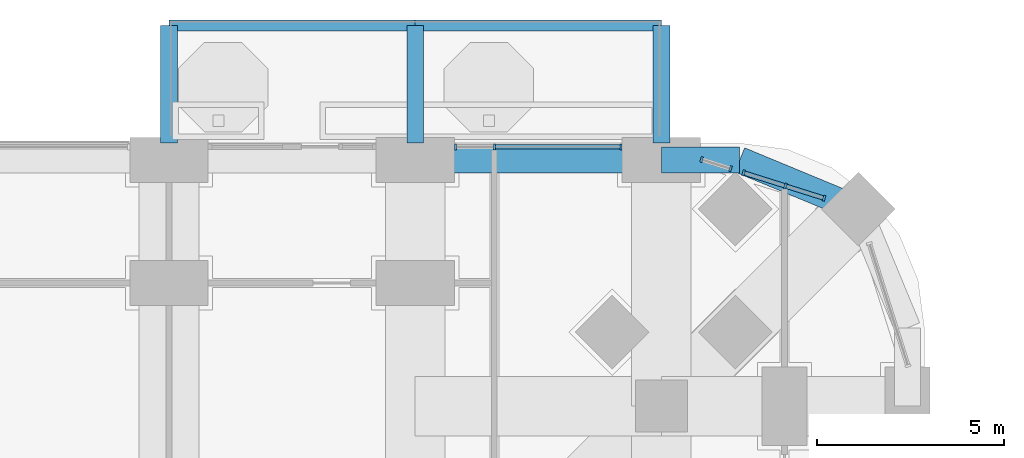
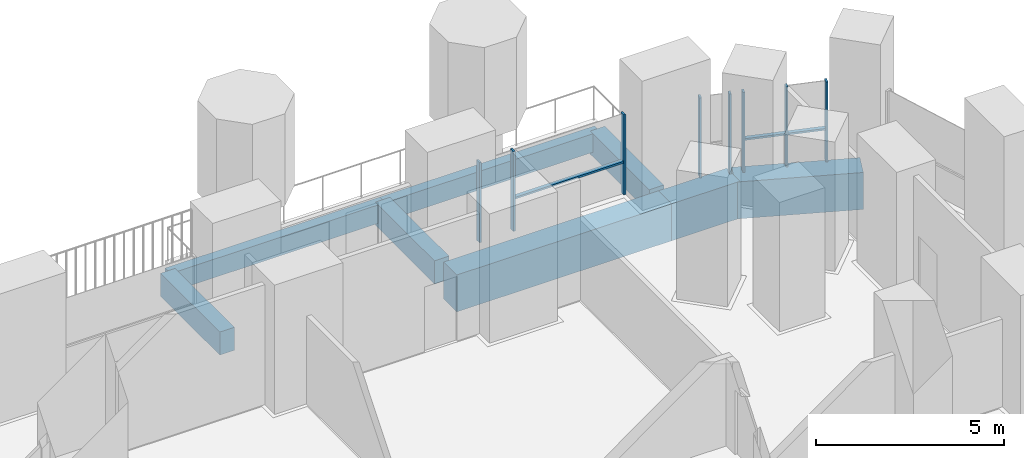
# One storey, part 10 of 27: 11 members, 8 beams, 3 elements without a shape of their own.
"""IFC4 building model written with IfcOpenShell, lengths in metres."""

from ifc_helpers import new_model, si_unit, direction, frame, origin, origin_2d, place, context, subcontext, project, spatial, rectangle, extrude, material, material_profile, profile_set, type_object, element, aggregate, save


model = new_model("IFC4")

# Units and contexts
model_context = context("Model", 3, precision=1e-05, world=origin(), true_north=direction((0.0, 1.0)))
body_context = subcontext(model_context, "Body", "Model", "MODEL_VIEW")
ifc_project = project(units=[si_unit("LENGTHUNIT", "METRE"), si_unit("AREAUNIT", "SQUARE_METRE"), si_unit("VOLUMEUNIT", "CUBIC_METRE"), si_unit("PLANEANGLEUNIT", "RADIAN"), si_unit("MASSUNIT", "GRAM", prefix="KILO")], contexts=[model_context])

# Site, building, storey
site_placement = place(None, origin())
site = spatial("IfcSite", under=ifc_project, at=site_placement, CompositionType="ELEMENT")
building_placement = place(site_placement, origin())
building = spatial("IfcBuilding", under=site, at=building_placement, Name="Cobogo Forest Laboratory Tower", CompositionType="ELEMENT")
storey_placement = place(building_placement, frame((0.0, 0.0, 63.300048828125)))
storey = spatial("IfcBuildingStorey", under=building, at=storey_placement, Name="L14", CompositionType="ELEMENT", Elevation=63.300048828125)

# Beams
ifc_material_1 = material(Name="Concrete HA-40 (C40/50)", Category="concrete")
ifc_material_profile_1 = material_profile(ifc_material_1, rectangle(XDim=0.449951171875, YDim=0.75, at=origin_2d()), Name="RC 450x750")
ifc_profile_set_1 = profile_set([ifc_material_profile_1], Name="Concrete HA-40 (C40/50)")
beam_type_1 = type_object("IfcBeamType", Name="Balcony cantilever beam 450x750", PredefinedType="BEAM", material=ifc_profile_set_1)
for number, where, z_axis, x_axis, name in (
    (1, (33.0, 46.64990234375, -0.625), (0.0, 1.0, 0.0), (-1.0, 0.0, 0.0), "CB1 BAL-N2-C1 L14"),
    (2, (39.60009765625, 46.64990234375, -0.625), (0.0, 1.0, 0.0), (-1.0, 0.0, 0.0), "CB1 BAL-N2-C2 L14"),
    (3, (46.199951171875, 46.64990234375, -0.625), (0.0, 1.0, 0.0), (-1.0, 0.0, 0.0), "CB1 BAL-N2-C3 L14"),
):
    element("IfcBeam", number, at=place(storey_placement, frame(where, z_axis=z_axis, x_axis=x_axis)), inside=storey, type_object=beam_type_1, Name=name, PredefinedType="BEAM", context=body_context, shape_type="SweptSolid", body=[
        extrude(rectangle(XDim=0.449951171875, YDim=0.75, at=origin_2d()), origin(), (0.0, 0.0, 1.0), 3.150146484375),
    ])
ifc_material_profile_2 = material_profile(ifc_material_1, rectangle(XDim=0.300048828125, YDim=0.60009765625, at=origin_2d()), Name="RC 300x600")
ifc_profile_set_2 = profile_set([ifc_material_profile_2], Name="Concrete HA-40 (C40/50)")
beam_type_2 = type_object("IfcBeamType", Name="Balcony edge beam 300x600", PredefinedType="BEAM", material=ifc_profile_set_2)
beam_1_placement = place(storey_placement, frame((33.0, 49.800048828125, -0.550048828125), z_axis=(1.0, 0.0, 0.0), x_axis=(0.0, 1.0, 0.0)))
element("IfcBeam", 4, at=beam_1_placement, inside=storey, type_object=beam_type_2, Name="BB1 BAL-N2-T1 L14", PredefinedType="BEAM", context=body_context, shape_type="SweptSolid", body=[
    extrude(rectangle(XDim=0.300048828125, YDim=0.60009765625, at=origin_2d()), origin(), (0.0, 0.0, 1.0), 6.60009765625),
])
beam_2_placement = place(storey_placement, frame((39.60009765625, 49.800048828125, -0.550048828125), z_axis=(1.0, 0.0, 0.0), x_axis=(0.0, 1.0, 0.0)))
element("IfcBeam", 5, at=beam_2_placement, inside=storey, type_object=beam_type_2, Name="BB1 BAL-N2-T2 L14", PredefinedType="BEAM", context=body_context, shape_type="SweptSolid", body=[
    extrude(rectangle(XDim=0.300048828125, YDim=0.60009765625, at=origin_2d()), origin(), (0.0, 0.0, 1.0), 6.599853515625),
])

# Curtain wall, members
ifc_material_2 = material(Name="Aluminium curtain wall", Category="aluminium")
curtain_wall_type = type_object("IfcCurtainWallType", Name="CW-1 unitised curtain wall, clear glazing, laboratory floors zones A and B", PredefinedType="USERDEFINED", material=ifc_material_2)
curtain_wall_1_placement = place(storey_placement, origin())
curtain_wall_1 = element("IfcCurtainWall", 6, at=curtain_wall_1_placement, inside=storey, type_object=curtain_wall_type, Name="Curtain wall 16 L14", ObjectType="UNITISED CURTAIN WALL", PredefinedType="USERDEFINED")
ifc_material_3 = material(Name="Aluminium mullion", Category="aluminium")
ifc_material_profile_3 = material_profile(ifc_material_3, rectangle(XDim=0.06005859375, YDim=0.159912109375, at=origin_2d()), Name="AL 60x160")
ifc_profile_set_3 = profile_set([ifc_material_profile_3], Name="Aluminium mullion")
member_type_1 = type_object("IfcMemberType", Name="MU-1 aluminium mullion 60x160", PredefinedType="MULLION", material=ifc_profile_set_3)
member_1_placement = place(storey_placement, frame((50.561279296875, 45.1728515625, 0.0), z_axis=(0.0, 0.0, 1.0), x_axis=(-0.953581409645, 0.301135343623, 0.0)))
member_1 = element("IfcMember", 7, at=member_1_placement, type_object=member_type_1, Name="CW-1 mullion 1", PredefinedType="MULLION", context=body_context, shape_type="SweptSolid", body=[
    extrude(rectangle(XDim=0.06005859375, YDim=0.159912109375, at=origin_2d()), origin(), (0.0, 0.0, 1.0), 2.599853515625),
])
member_2_placement = place(storey_placement, frame((49.524169921875, 45.500244140625, 0.0), z_axis=(0.0, 0.0, 1.0), x_axis=(-0.953581409645, 0.301135343623, 0.0)))
member_2 = element("IfcMember", 8, at=member_2_placement, type_object=member_type_1, Name="CW-1 mullion 2", PredefinedType="MULLION", context=body_context, shape_type="SweptSolid", body=[
    extrude(rectangle(XDim=0.06005859375, YDim=0.159912109375, at=origin_2d()), origin(), (0.0, 0.0, 1.0), 2.599853515625),
])
member_3_placement = place(storey_placement, frame((48.403076171875, 45.854248046875, 0.0), z_axis=(0.0, 0.0, 1.0), x_axis=(-0.953581409645, 0.301135343623, 0.0)))
member_3 = element("IfcMember", 9, at=member_3_placement, type_object=member_type_1, Name="CW-1 mullion 3", PredefinedType="MULLION", context=body_context, shape_type="SweptSolid", body=[
    extrude(rectangle(XDim=0.06005859375, YDim=0.159912109375, at=origin_2d()), origin(), (0.0, 0.0, 1.0), 2.599853515625),
])

curtain_wall_2_placement = place(storey_placement, origin())
curtain_wall_2 = element("IfcCurtainWall", 10, at=curtain_wall_2_placement, inside=storey, type_object=curtain_wall_type, Name="Curtain wall 17 L14", ObjectType="UNITISED CURTAIN WALL", PredefinedType="USERDEFINED")
member_4_placement = place(storey_placement, frame((48.05322265625, 45.96484375, 0.0), z_axis=(0.0, 0.0, 1.0), x_axis=(-0.953581504428, 0.301135043481, 0.0)))
member_4 = element("IfcMember", 11, at=member_4_placement, type_object=member_type_1, Name="CW-1 mullion 1", PredefinedType="MULLION", context=body_context, shape_type="SweptSolid", body=[
    extrude(rectangle(XDim=0.06005859375, YDim=0.159912109375, at=origin_2d()), origin(), (0.0, 0.0, 1.0), 2.599853515625),
])
member_5_placement = place(storey_placement, frame((47.278564453125, 46.20947265625, 0.0), z_axis=(0.0, 0.0, 1.0), x_axis=(-0.953581504428, 0.301135043481, 0.0)))
member_5 = element("IfcMember", 12, at=member_5_placement, type_object=member_type_1, Name="CW-1 mullion 2", PredefinedType="MULLION", context=body_context, shape_type="SweptSolid", body=[
    extrude(rectangle(XDim=0.06005859375, YDim=0.159912109375, at=origin_2d()), origin(), (0.0, 0.0, 1.0), 2.599853515625),
])
aggregate(curtain_wall_2, [member_4, member_5])

curtain_wall_3_placement = place(storey_placement, origin())
curtain_wall_3 = element("IfcCurtainWall", 13, at=curtain_wall_3_placement, inside=storey, type_object=curtain_wall_type, Name="Curtain wall 18 L14", ObjectType="UNITISED CURTAIN WALL", PredefinedType="USERDEFINED")
member_6_placement = place(storey_placement, frame((45.1201171875, 46.550048828125, 0.0), z_axis=(0.0, 0.0, 1.0), x_axis=(-1.0, 0.0, 0.0)))
member_6 = element("IfcMember", 14, at=member_6_placement, type_object=member_type_1, Name="CW-1 mullion 1", PredefinedType="MULLION", context=body_context, shape_type="SweptSolid", body=[
    extrude(rectangle(XDim=0.06005859375, YDim=0.159912109375, at=origin_2d()), origin(), (0.0, 0.0, 1.0), 2.599853515625),
])
member_7_placement = place(storey_placement, frame((41.72509765625, 46.550048828125, 0.0), z_axis=(0.0, 0.0, 1.0), x_axis=(-1.0, 0.0, 0.0)))
member_7 = element("IfcMember", 15, at=member_7_placement, type_object=member_type_1, Name="CW-1 mullion 2", PredefinedType="MULLION", context=body_context, shape_type="SweptSolid", body=[
    extrude(rectangle(XDim=0.06005859375, YDim=0.159912109375, at=origin_2d()), origin(), (0.0, 0.0, 1.0), 2.599853515625),
])
member_8_placement = place(storey_placement, frame((40.679931640625, 46.550048828125, 0.0), z_axis=(0.0, 0.0, 1.0), x_axis=(-1.0, 0.0, 0.0)))
member_8 = element("IfcMember", 16, at=member_8_placement, type_object=member_type_1, Name="CW-1 mullion 3", PredefinedType="MULLION", context=body_context, shape_type="SweptSolid", body=[
    extrude(rectangle(XDim=0.06005859375, YDim=0.159912109375, at=origin_2d()), origin(), (0.0, 0.0, 1.0), 2.599853515625),
])

# Beams
ifc_material_profile_4 = material_profile(ifc_material_1, rectangle(XDim=0.699951171875, YDim=1.199951171875, at=origin_2d()), Name="RC 700x1200")
ifc_profile_set_4 = profile_set([ifc_material_profile_4], Name="Concrete HA-40 (C40/50)")
beam_type_3 = type_object("IfcBeamType", Name="Perimeter edge beam 700x1200", PredefinedType="BEAM", material=ifc_profile_set_4)
beam_3_placement = place(storey_placement, frame((39.60009765625, 46.199951171875, -0.900146484375), z_axis=(1.0, 0.0, 0.0), x_axis=(0.0, 1.0, 0.0)))
element("IfcBeam", 17, at=beam_3_placement, inside=storey, type_object=beam_type_3, Name="EB1 E-N6 L14", PredefinedType="BEAM", context=body_context, shape_type="SweptSolid", body=[
    extrude(rectangle(XDim=0.699951171875, YDim=1.199951171875, at=origin_2d()), origin(), (0.0, 0.0, 1.0), 6.599853515625),
])
beam_4_placement = place(storey_placement, frame((46.199951171875, 46.199951171875, -0.900146484375), z_axis=(1.0, 0.0, 0.0), x_axis=(0.0, 1.0, 0.0)))
element("IfcBeam", 18, at=beam_4_placement, inside=storey, type_object=beam_type_3, Name="EB1 E-NEN1 L14", PredefinedType="BEAM", context=body_context, shape_type="SweptSolid", body=[
    extrude(rectangle(XDim=0.699951171875, YDim=1.199951171875, at=origin_2d()), origin(), (0.0, 0.0, 1.0), 2.10009765625),
])
beam_5_placement = place(storey_placement, frame((48.300048828125, 46.199951171875, -0.900146484375), z_axis=(0.923890694089, -0.382656484822, 0.0), x_axis=(0.382656484822, 0.923890694089, 0.0)))
element("IfcBeam", 19, at=beam_5_placement, inside=storey, type_object=beam_type_3, Name="EB1 E-NEN2 L14", PredefinedType="BEAM", context=body_context, shape_type="SweptSolid", body=[
    extrude(rectangle(XDim=0.699951171875, YDim=1.199951171875, at=origin_2d()), origin(), (0.0, 0.0, 1.0), 3.444091796875),
])

# Member
ifc_material_4 = material(Name="Aluminium transom", Category="aluminium")
ifc_material_profile_5 = material_profile(ifc_material_4, rectangle(XDim=0.1201171875, YDim=0.06005859375, at=origin_2d()), Name="AL 60x120")
ifc_profile_set_5 = profile_set([ifc_material_profile_5], Name="Aluminium transom")
member_type_2 = type_object("IfcMemberType", Name="TR-1 aluminium transom 60x120", PredefinedType="USERDEFINED", material=ifc_profile_set_5)
member_9_placement = place(storey_placement, frame((50.53271484375, 45.181884765625, 1.050048828125), z_axis=(-0.953622152866, 0.301006294888, 0.0), x_axis=(-0.301006294888, -0.953622152866, 0.0)))
member_9 = element("IfcMember", 20, at=member_9_placement, type_object=member_type_2, Name="CW-1 transom 1.1", ObjectType="TRANSOM", PredefinedType="USERDEFINED", context=body_context, shape_type="SweptSolid", body=[
    extrude(rectangle(XDim=0.1201171875, YDim=0.06005859375, at=origin_2d()), origin(), (0.0, 0.0, 1.0), 1.027587890625),
])

member_10_placement = place(storey_placement, frame((49.495361328125, 45.50927734375, 1.050048828125), z_axis=(-0.953576049467, 0.301152316747, 0.0), x_axis=(-0.301152316747, -0.953576049467, 0.0)))
member_10 = element("IfcMember", 21, at=member_10_placement, type_object=member_type_2, Name="CW-1 transom 2.1", ObjectType="TRANSOM", PredefinedType="USERDEFINED", context=body_context, shape_type="SweptSolid", body=[
    extrude(rectangle(XDim=0.1201171875, YDim=0.06005859375, at=origin_2d()), origin(), (0.0, 0.0, 1.0), 1.115478515625),
])

aggregate(curtain_wall_1, [member_1, member_2, member_3, member_9, member_10])

member_11_placement = place(storey_placement, frame((45.090087890625, 46.550048828125, 1.050048828125), z_axis=(-1.0, 0.0, 0.0), x_axis=(0.0, -1.0, 0.0)))
member_11 = element("IfcMember", 22, at=member_11_placement, type_object=member_type_2, Name="CW-1 transom 1.1", ObjectType="TRANSOM", PredefinedType="USERDEFINED", context=body_context, shape_type="SweptSolid", body=[
    extrude(rectangle(XDim=0.1201171875, YDim=0.06005859375, at=origin_2d()), origin(), (0.0, 0.0, 1.0), 3.335205078125),
])

aggregate(curtain_wall_3, [member_6, member_7, member_8, member_11])

save(model, "model.ifc")
